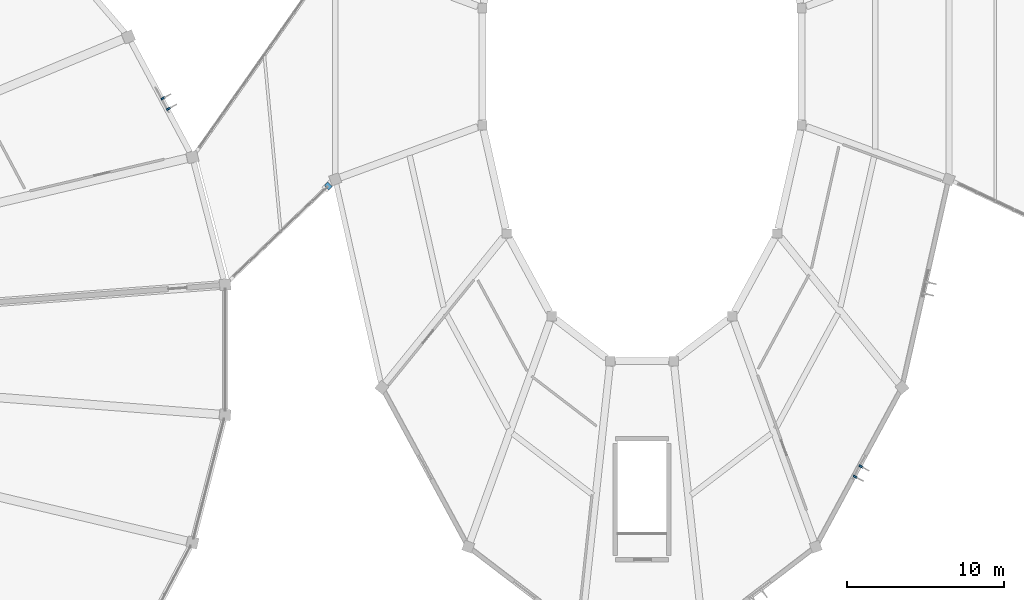
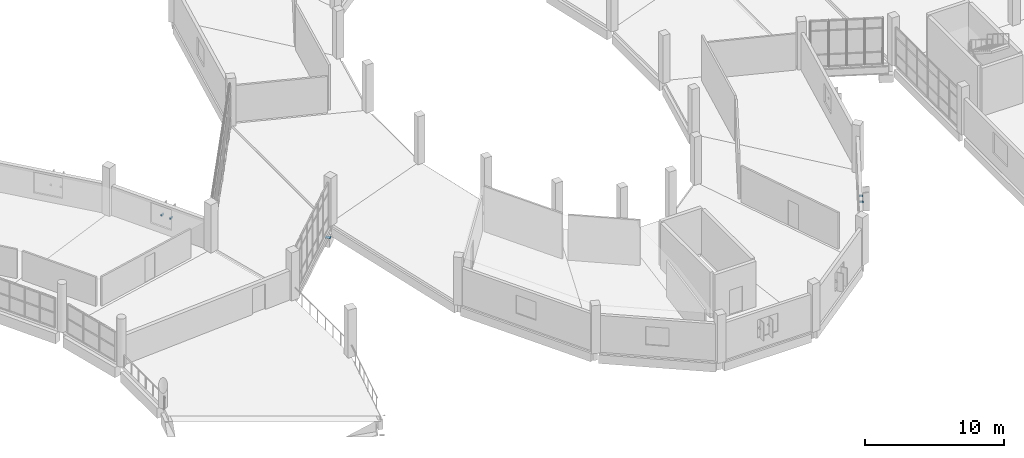
# One storey, part 116 of 142: 5 discrete accessories.
"""IFC4 building model written with IfcOpenShell, lengths in metres."""

from ifc_helpers import new_model, si_unit, direction, frame, origin, origin_2d, place, context, subcontext, project, spatial, rectangle, extrude, material, type_object, element, save


model = new_model("IFC4")

# Units and contexts
model_context = context("Model", 3, precision=1e-05, world=origin(), true_north=direction((0.0, 1.0)))
body_context = subcontext(model_context, "Body", "Model", "MODEL_VIEW")
ifc_project = project(units=[si_unit("LENGTHUNIT", "METRE"), si_unit("AREAUNIT", "SQUARE_METRE"), si_unit("VOLUMEUNIT", "CUBIC_METRE"), si_unit("PLANEANGLEUNIT", "RADIAN"), si_unit("MASSUNIT", "GRAM", prefix="KILO")], contexts=[model_context])

# Site, building, storey
site_placement = place(None, origin())
site = spatial("IfcSite", under=ifc_project, at=site_placement, CompositionType="ELEMENT")
building_placement = place(site_placement, origin())
building = spatial("IfcBuilding", under=site, at=building_placement, Name="Corvandel Quay Wholesale Market", CompositionType="ELEMENT")
storey_placement = place(building_placement, frame((0.0, 0.0, 10.800048828125)))
storey = spatial("IfcBuildingStorey", under=building, at=storey_placement, Name="L02", CompositionType="ELEMENT", Elevation=10.800048828125)

# Discrete accessories
ifc_material_1 = material(Name="Austenitic stainless steel Grade 316", Category="steel")
discrete_accessory_type_1 = type_object("IfcDiscreteAccessoryType", Name="Stainless Solar Fin Fixing Bracket BRK01", PredefinedType="USERDEFINED", material=ifc_material_1)
for number, where, z_axis, x_axis, name in (
    (1, (164.40087890625, 57.3251953125, 1.3798828125), (0.0, 0.0, 1.0), (0.882619624736, 0.470087862033, 0.0), "Fin Bracket 0013"),
    (2, (164.048095703125, 57.9873046875, 1.3798828125), (0.0, 0.0, 1.0), (0.882619624736, 0.470087862033, 0.0), "Fin Bracket 0014"),
    (3, (208.067138671875, 33.92578125, 1.68017578125), (0.0, 0.0, 1.0), (-0.879316310191, 0.476238203668, 0.0), "Fin Bracket 0662"),
    (4, (208.42431640625, 34.585205078125, 1.68017578125), (0.0, 0.0, 1.0), (-0.879316310191, 0.476238203668, 0.0), "Fin Bracket 0663"),
):
    element("IfcDiscreteAccessory", number, at=place(storey_placement, frame(where, z_axis=z_axis, x_axis=x_axis)), inside=storey, type_object=discrete_accessory_type_1, Name=name, ObjectType="BRACKET", PredefinedType="USERDEFINED", context=body_context, shape_type="SweptSolid", body=[
        extrude(rectangle(XDim=0.280029296875, YDim=0.1201171875, at=origin_2d()), origin(), (0.0, 0.0, 1.0), 0.139892578125),
    ])
ifc_material_2 = material(Name="PTFE elastomeric bearing assembly")
discrete_accessory_type_2 = type_object("IfcDiscreteAccessoryType", Name="Unguided Bi-Directional PTFE Sliding Bearing SBG01", PredefinedType="USERDEFINED", material=ifc_material_2)
discrete_accessory_placement = place(storey_placement, frame((174.555908203125, 52.413818359375, -0.8720703125), z_axis=(0.0, 0.0, 1.0), x_axis=(0.72236396206, 0.691513055782, 0.0)))
element("IfcDiscreteAccessory", 5, at=discrete_accessory_placement, inside=storey, type_object=discrete_accessory_type_2, Name="PTFE Sliding Bearing SBG-015", ObjectType="SLIDING BEARING", PredefinedType="USERDEFINED", context=body_context, shape_type="SweptSolid", body=[
    extrude(rectangle(XDim=0.300048828125, YDim=0.39990234375, at=origin_2d()), origin(), (0.0, 0.0, 1.0), 0.0400390625),
])

save(model, "model.ifc")
